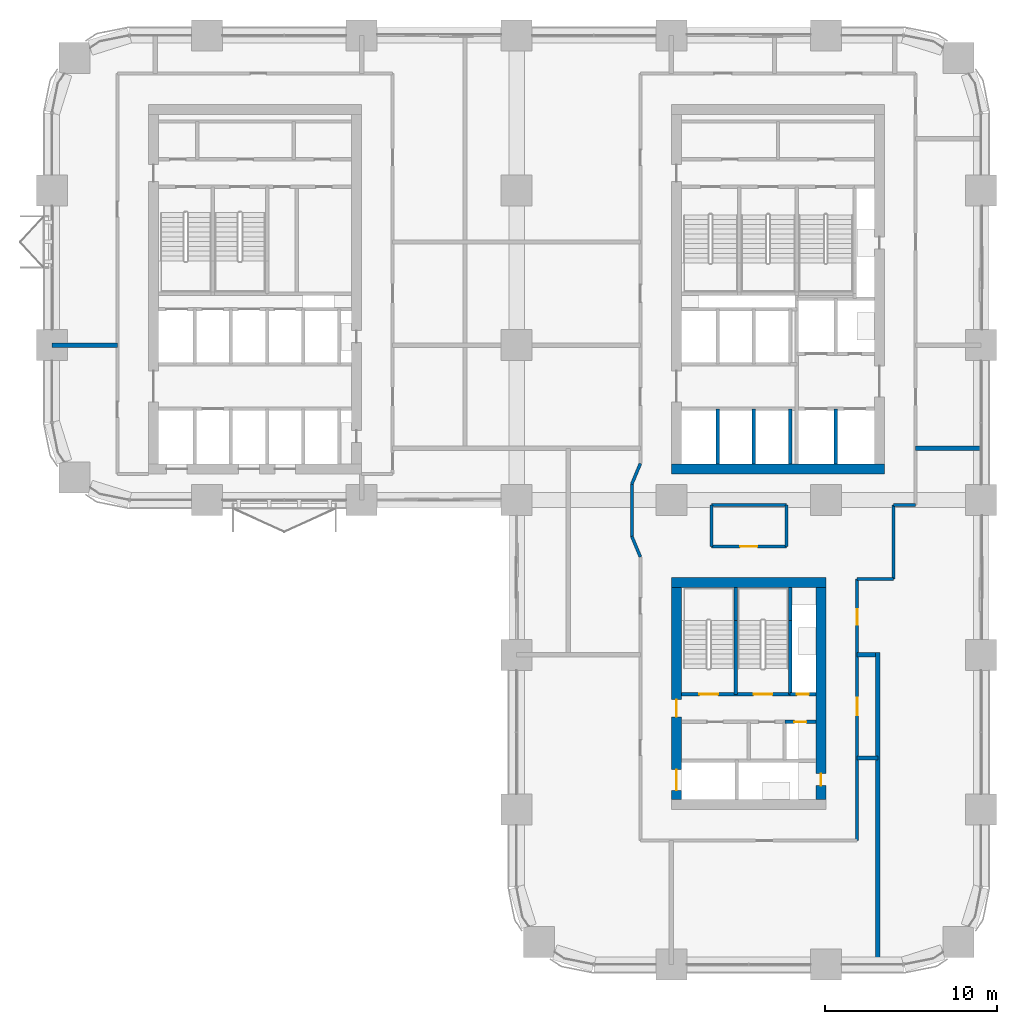
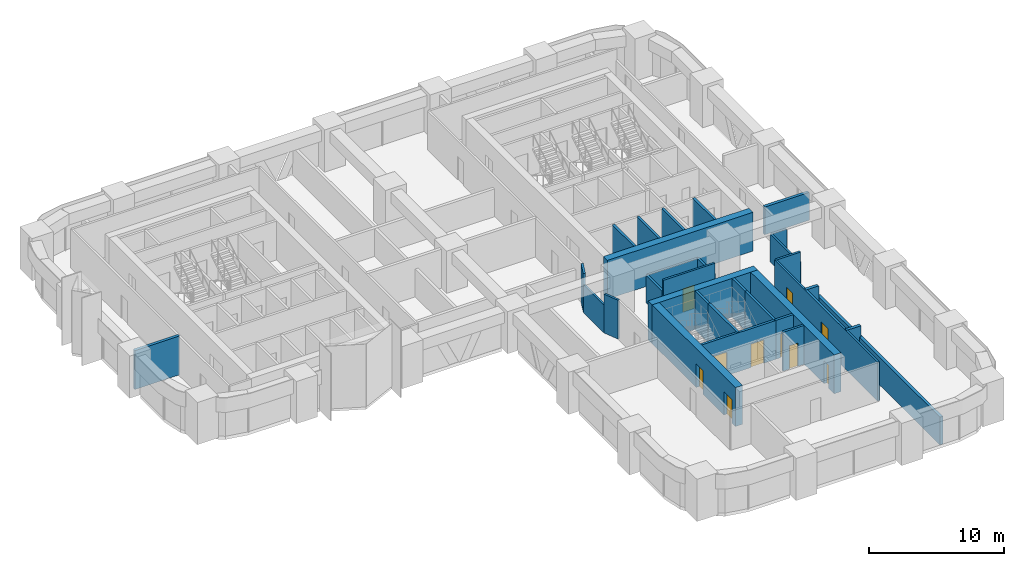
# One storey, part 12 of 18: 31 walls, 10 doors, 10 openings.
"""IFC4 building model written with IfcOpenShell, lengths in metres."""

import ifcopenshell
import ifcopenshell.guid

model = None  # the IFC model being written
_history = None  # IfcOwnerHistory: only IFC2X3 demands one
_inside = {}  # id of a spatial element -> (the spatial element, [elements in it])
_under = {}  # id of a project, library or spatial element -> (it, [spatial elements below it])
_declared = {}  # id of a project -> (the project, [libraries it declares])
_typed = {}  # id of a type object -> (the type object, [elements of that type])
_made_of = {}  # id of a material, layer set ... -> (it, [elements and type objects made of it])


def new_model(schema):
    """Start an empty IFC model of exactly this schema.

    Asked for "IFC4X3", IfcOpenShell would pick the latest addendum, in which some entities
    have other attributes; the version numbers below select the first issue.
    IFC2X3 requires an IfcOwnerHistory on every rooted entity: one is made here for all.
    """
    global model, _history
    if schema == "IFC4X3":
        model = ifcopenshell.file(schema_version=(4, 3, 0, 0))
    else:
        model = ifcopenshell.file(schema=schema)
    _inside.clear()
    _under.clear()
    _declared.clear()
    _typed.clear()
    _made_of.clear()
    _history = None
    if model.schema == "IFC2X3":
        org = make("IfcOrganization", Name="unknown")
        user = make(
            "IfcPersonAndOrganization",
            ThePerson=make("IfcPerson", FamilyName="unknown"),
            TheOrganization=org,
        )
        app = make(
            "IfcApplication",
            ApplicationDeveloper=org,
            Version="unknown",
            ApplicationFullName="unknown",
            ApplicationIdentifier="unknown",
        )
        _history = make(
            "IfcOwnerHistory",
            OwningUser=user,
            OwningApplication=app,
            ChangeAction="ADDED",
            CreationDate=0,
        )
    return model


def make(cls, **values):
    """One entity of the class cls with the attributes given. An attribute that is None is left unset."""
    return model.create_entity(
        cls, **{name: value for name, value in values.items() if value is not None}
    )


def rooted(cls, **values):
    """An entity with a GlobalId (a new one), such as an element, a storey or a relation."""
    return make(cls, GlobalId=ifcopenshell.guid.new(), OwnerHistory=_history, **values)


def si_unit(unit_type, name, prefix=None):
    """IfcSIUnit, for example si_unit("LENGTHUNIT", "METRE", prefix="MILLI")."""
    return make("IfcSIUnit", UnitType=unit_type, Prefix=prefix, Name=name)


def assignment(units):
    """IfcUnitAssignment: the units of a project."""
    return None if units is None else make("IfcUnitAssignment", Units=units)


def point(xyz):
    """IfcCartesianPoint."""
    return None if xyz is None else make("IfcCartesianPoint", Coordinates=xyz)


def direction(xyz):
    """IfcDirection."""
    return None if xyz is None else make("IfcDirection", DirectionRatios=xyz)


def frame(location, z_axis=None, x_axis=None):
    """IfcAxis2Placement3D, a coordinate frame: its origin and axes. An axis left out is left unset."""
    return make(
        "IfcAxis2Placement3D",
        Location=point(location),
        Axis=direction(z_axis),
        RefDirection=direction(x_axis),
    )


def frame_2d(location, x_axis=None):
    """IfcAxis2Placement2D, a coordinate frame in the plane: its origin and x axis."""
    return make(
        "IfcAxis2Placement2D", Location=point(location), RefDirection=direction(x_axis)
    )


def origin():
    """The frame at (0, 0, 0) with its axes left unset."""
    return frame((0.0, 0.0, 0.0))


def place(relative_to, where):
    """IfcLocalPlacement: puts the frame where relative to a parent placement (None: the world)."""
    return make(
        "IfcLocalPlacement", PlacementRelTo=relative_to, RelativePlacement=where
    )


def context(
    kind, dimensions, precision=None, world=None, true_north=None, identifier=None
):
    """IfcGeometricRepresentationContext, for example the 3D "Model" context."""
    return make(
        "IfcGeometricRepresentationContext",
        ContextIdentifier=identifier,
        ContextType=kind,
        CoordinateSpaceDimension=dimensions,
        Precision=precision,
        WorldCoordinateSystem=world,
        TrueNorth=true_north,
    )


def subcontext(parent, identifier, kind, view, scale=None):
    """IfcGeometricRepresentationSubContext, for example "Body" below "Model"."""
    return make(
        "IfcGeometricRepresentationSubContext",
        ContextIdentifier=identifier,
        ContextType=kind,
        ParentContext=parent,
        TargetScale=scale,
        TargetView=view,
    )


def project(units=None, contexts=None):
    """IfcProject with its units and contexts."""
    return rooted(
        "IfcProject",
        Name="project",
        RepresentationContexts=contexts,
        UnitsInContext=assignment(units),
    )


def spatial(cls, under=None, at=None, **own):
    """A site, building, storey or space (cls), placed at a placement, below another one or the project."""
    s = rooted(cls, ObjectPlacement=at, **own)
    if under is not None:
        _under.setdefault(under.id(), (under, []))[1].append(s)
    return s


def profile(cls, at=None, kind="AREA", **sizes):
    """A parametric profile (cls). Its sizes go by their IFC names, for example OverallWidth=200.0."""
    return make(cls, ProfileType=kind, Position=at, **sizes)


def rectangle(**sizes):
    """IfcRectangleProfileDef."""
    return profile("IfcRectangleProfileDef", **sizes)


def extrude(swept, where, along, depth):
    """IfcExtrudedAreaSolid: the profile swept, set in the frame where, extruded along a direction by depth."""
    return make(
        "IfcExtrudedAreaSolid",
        SweptArea=swept,
        Position=where,
        ExtrudedDirection=direction(along),
        Depth=depth,
    )


def shape(context_of_items, identifier, shape_type, items):
    """IfcShapeRepresentation: the items that make up one representation, for example the "Body"."""
    return make(
        "IfcShapeRepresentation",
        ContextOfItems=context_of_items,
        RepresentationIdentifier=identifier,
        RepresentationType=shape_type,
        Items=items,
    )


def material(Name=None, Category=None):
    """IfcMaterial."""
    return make("IfcMaterial", Name=Name, Category=Category)


def layer(
    of_material, thickness, ventilated=None, Name=None, Category=None, Priority=None
):
    """IfcMaterialLayer: one layer of a wall or slab, of a material (None: an air gap)."""
    return make(
        "IfcMaterialLayer",
        Material=of_material,
        LayerThickness=thickness,
        IsVentilated=ventilated,
        Name=Name,
        Category=Category,
        Priority=Priority,
    )


def layer_set(layers, Name=None):
    """IfcMaterialLayerSet."""
    return make("IfcMaterialLayerSet", MaterialLayers=layers, LayerSetName=Name)


def made_of(thing, what):
    """Note that an element or type object is made of a material, layer set ...; save() writes the relation."""
    if what is not None:
        _made_of.setdefault(what.id(), (what, []))[1].append(thing)
    return thing


def type_object(cls, material=None, **own):
    """A type object (cls), such as IfcWallType, which elements share."""
    return made_of(rooted(cls, **own), material)


def element(
    cls,
    number,
    at=None,
    inside=None,
    cuts=None,
    type_object=None,
    material=None,
    context=None,
    identifier="Body",
    shape_type=None,
    held_by="IfcProductDefinitionShape",
    body=None,
    shapes=None,
    **own,
):
    """One element of the class cls, such as IfcWall. Its Tag is "e" and its number.

    at: its placement. inside: the storey or other place that contains it. cuts: it is an
    opening in that element (IfcRelVoidsElement). A single representation is given by context,
    identifier, shape_type and body (its items); several are given by shapes. held_by: the class
    of the entity that holds the representations. save() writes the other relations.
    """
    e = rooted(cls, Tag="e%d" % number, ObjectPlacement=at, **own)
    if body is not None:
        shapes = [shape(context, identifier, shape_type, body)]
    if shapes is not None:
        e.Representation = make(held_by, Representations=shapes)
    if inside is not None:
        _inside.setdefault(inside.id(), (inside, []))[1].append(e)
    if cuts is not None:
        rooted(
            "IfcRelVoidsElement", RelatingBuildingElement=cuts, RelatedOpeningElement=e
        )
    if type_object is not None:
        _typed.setdefault(type_object.id(), (type_object, []))[1].append(e)
    return made_of(e, material)


def fill(opening, filler):
    """IfcRelFillsElement: the door or window that sits in an opening."""
    return rooted(
        "IfcRelFillsElement",
        RelatingOpeningElement=opening,
        RelatedBuildingElement=filler,
    )


def aggregate(whole, parts):
    """IfcRelAggregates: a whole, such as a stair, and the parts it consists of."""
    return rooted("IfcRelAggregates", RelatingObject=whole, RelatedObjects=parts)


def save(model, path):
    """Write the relations noted so far, then the file.

    IfcRelAggregates (storeys below a building ...), IfcRelContainedInSpatialStructure (elements
    in a storey), IfcRelDefinesByType, IfcRelAssociatesMaterial and IfcRelDeclares: one each for
    every whole, place, type object, material and project.
    """
    for whole, parts in _under.values():
        aggregate(whole, parts)
    for where, things in _inside.values():
        rooted(
            "IfcRelContainedInSpatialStructure",
            RelatedElements=things,
            RelatingStructure=where,
        )
    for kind, things in _typed.values():
        rooted("IfcRelDefinesByType", RelatedObjects=things, RelatingType=kind)
    for what, things in _made_of.values():
        rooted("IfcRelAssociatesMaterial", RelatedObjects=things, RelatingMaterial=what)
    for by, libraries in _declared.values():
        rooted("IfcRelDeclares", RelatingContext=by, RelatedDefinitions=libraries)
    model.write(path)


model = new_model("IFC4")

# Units and contexts
model_context = context("Model", 3, precision=1e-05, world=origin(), true_north=direction((0.0, 1.0)))
body_context = subcontext(model_context, "Body", "Model", "MODEL_VIEW")
ifc_project = project(units=[si_unit("LENGTHUNIT", "METRE"), si_unit("AREAUNIT", "SQUARE_METRE"), si_unit("VOLUMEUNIT", "CUBIC_METRE"), si_unit("PLANEANGLEUNIT", "RADIAN"), si_unit("MASSUNIT", "GRAM", prefix="KILO")], contexts=[model_context])

# Site, building, storey
site_placement = place(None, origin())
site = spatial("IfcSite", under=ifc_project, at=site_placement, CompositionType="ELEMENT")
building_placement = place(site_placement, origin())
building = spatial("IfcBuilding", under=site, at=building_placement, Name="Tessera Arch", CompositionType="ELEMENT")
storey_placement = place(building_placement, frame((0.0, 0.0, 115.800048828125)))
storey = spatial("IfcBuildingStorey", under=building, at=storey_placement, Name="L27", CompositionType="ELEMENT", Elevation=115.800048828125)

# Walls
ifc_material_1 = material(Name="Concrete C70/85", Category="concrete")
ifc_layer_1 = layer(ifc_material_1, 0.60009765625)
ifc_layer_set_1 = layer_set([ifc_layer_1], Name="Core shell wall 600 C70-85")
wall_type_1 = type_object("IfcWallType", Name="Core shell wall 600 C70-85", PredefinedType="SHEAR", material=ifc_layer_set_1)
wall_1_placement = place(storey_placement, frame((36.0, 28.800048828125, 0.0), z_axis=(0.0, 0.0, 1.0), x_axis=(1.0, 0.0, 0.0)))
element("IfcWall", 1, at=wall_1_placement, inside=storey, type_object=wall_type_1, Name="L27 C1 core wall S", PredefinedType="SHEAR", context=body_context, shape_type="SweptSolid", body=[
    extrude(rectangle(XDim=12.39990234375, YDim=0.60009765625, at=frame_2d((6.199951171875, 0.0))), origin(), (0.0, 0.0, 1.0), 3.5),
])
wall_2_placement = place(storey_placement, frame((36.0, 22.199951171875, 0.0), z_axis=(0.0, 0.0, 1.0), x_axis=(1.0, 0.0, 0.0)))
element("IfcWall", 2, at=wall_2_placement, inside=storey, type_object=wall_type_1, Name="L27 C3 core wall N", PredefinedType="SHEAR", context=body_context, shape_type="SweptSolid", body=[
    extrude(rectangle(XDim=9.0, YDim=0.60009765625, at=frame_2d((4.5, 0.0))), origin(), (0.0, 0.0, 1.0), 3.5),
])

# Wall, openings, doors
wall_3_placement = place(storey_placement, frame((36.300048828125, 9.60009765625, 0.0), z_axis=(0.0, 0.0, 1.0), x_axis=(0.0, 1.0, 0.0)))
wall_3 = element("IfcWall", 3, at=wall_3_placement, inside=storey, type_object=wall_type_1, Name="L27 C3 core wall W", PredefinedType="SHEAR", context=body_context, shape_type="SweptSolid", body=[
    extrude(rectangle(XDim=12.2998046875, YDim=0.60009765625, at=frame_2d((6.14990234375, 0.0))), origin(), (0.0, 0.0, 1.0), 3.5),
])
opening_1_placement = place(wall_3_placement, frame((0.52490234375, 0.0, 0.0)))
opening_1 = element("IfcOpeningElement", 4, at=opening_1_placement, cuts=wall_3, Name="Opening L27-C33", PredefinedType="OPENING", context=body_context, shape_type="SweptSolid", body=[
    extrude(rectangle(XDim=1.199951171875, YDim=2.10009765625, at=frame_2d((0.60009765625, 1.050048828125))), frame((0.0, 0.31005859375, 0.0), z_axis=(0.0, -1.0, 0.0), x_axis=(1.0, 0.0, 0.0)), (0.0, 0.0, 1.0), 0.6201171875),
])
opening_2_placement = place(wall_3_placement, frame((4.800048828125, 0.0, 0.0)))
opening_2 = element("IfcOpeningElement", 5, at=opening_2_placement, cuts=wall_3, Name="Opening L27-C39", PredefinedType="OPENING", context=body_context, shape_type="SweptSolid", body=[
    extrude(rectangle(XDim=1.0, YDim=2.10009765625, at=frame_2d((0.5, 1.050048828125))), frame((0.0, 0.31005859375, 0.0), z_axis=(0.0, -1.0, 0.0), x_axis=(1.0, 0.0, 0.0)), (0.0, 0.0, 1.0), 0.6201171875),
])
ifc_material_2 = material(Name="Steel door leaf", Category="steel")
door_type_1 = type_object("IfcDoorType", Name="Corridor door FD60 1000 x 2100", OperationType="SINGLE_SWING_LEFT", PredefinedType="DOOR", material=ifc_material_2)
door_1_placement = place(opening_2_placement, origin())
door_1 = element("IfcDoor", 6, at=door_1_placement, inside=storey, type_object=door_type_1, Name="L27 C3 door 7 C39 type D12", OperationType="SINGLE_SWING_LEFT", OverallHeight=2.10009765625, OverallWidth=1.0, PredefinedType="DOOR", context=body_context, shape_type="SweptSolid", body=[
    extrude(rectangle(XDim=1.0, YDim=2.10009765625, at=frame_2d((0.5, 1.050048828125))), frame((0.0, 0.02490234375, 0.0), z_axis=(0.0, -1.0, 0.0), x_axis=(1.0, 0.0, 0.0)), (0.0, 0.0, 1.0), 0.050048828125),
])
fill(opening_2, door_1)
ifc_material_3 = material(Name="Stainless steel AISI 304", Category="steel")
door_type_2 = type_object("IfcDoorType", Name="Sliding landing door 1200 x 2100", OperationType="SLIDING_TO_LEFT", PredefinedType="DOOR", material=ifc_material_3)
door_2_placement = place(opening_1_placement, origin())
door_2 = element("IfcDoor", 7, at=door_2_placement, inside=storey, type_object=door_type_2, Name="L27 SV1 lift landing door C33 type LD", OperationType="SLIDING_TO_LEFT", OverallHeight=2.10009765625, OverallWidth=1.199951171875, PredefinedType="DOOR", context=body_context, shape_type="SweptSolid", body=[
    extrude(rectangle(XDim=1.199951171875, YDim=2.10009765625, at=frame_2d((0.60009765625, 1.050048828125))), frame((0.0, 0.02490234375, 0.0), z_axis=(0.0, -1.0, 0.0), x_axis=(1.0, 0.0, 0.0)), (0.0, 0.0, 1.0), 0.050048828125),
])
fill(opening_1, door_2)

# Wall, opening, door
wall_4_placement = place(storey_placement, frame((44.699951171875, 9.60009765625, 0.0), z_axis=(0.0, 0.0, 1.0), x_axis=(0.0, 1.0, 0.0)))
wall_4 = element("IfcWall", 8, at=wall_4_placement, inside=storey, type_object=wall_type_1, Name="L27 C3 core wall E", PredefinedType="SHEAR", context=body_context, shape_type="SweptSolid", body=[
    extrude(rectangle(XDim=12.2998046875, YDim=0.60009765625, at=frame_2d((6.14990234375, 0.0))), origin(), (0.0, 0.0, 1.0), 3.5),
])
opening_3_placement = place(wall_4_placement, frame((0.800048828125, 0.0, 0.0)))
opening_3 = element("IfcOpeningElement", 9, at=opening_3_placement, cuts=wall_4, Name="Opening L27-C38", PredefinedType="OPENING", context=body_context, shape_type="SweptSolid", body=[
    extrude(rectangle(XDim=0.699951171875, YDim=2.10009765625, at=frame_2d((0.35009765625, 1.050048828125))), frame((0.0, 0.31005859375, 0.0), z_axis=(0.0, -1.0, 0.0), x_axis=(1.0, 0.0, 0.0)), (0.0, 0.0, 1.0), 0.6201171875),
])
ifc_material_4 = material(Name="Steel door leaf", Category="steel")
door_type_3 = type_object("IfcDoorType", Name="Service shaft door FD60 700 x 2100", OperationType="SINGLE_SWING_LEFT", PredefinedType="DOOR", material=ifc_material_4)
door_3_placement = place(opening_3_placement, origin())
door_3 = element("IfcDoor", 10, at=door_3_placement, inside=storey, type_object=door_type_3, Name="L27 C3 door 6 C38 type D07", OperationType="SINGLE_SWING_LEFT", OverallHeight=2.10009765625, OverallWidth=0.699951171875, PredefinedType="DOOR", context=body_context, shape_type="SweptSolid", body=[
    extrude(rectangle(XDim=0.699951171875, YDim=2.10009765625, at=frame_2d((0.35009765625, 1.050048828125))), frame((0.0, 0.02490234375, 0.0), z_axis=(0.0, -1.0, 0.0), x_axis=(1.0, 0.0, 0.0)), (0.0, 0.0, 1.0), 0.050048828125),
])
fill(opening_3, door_3)

# Wall
ifc_material_5 = material(Name="Gypsum board on deep steel stud with mineral wool", Category="steel")
ifc_layer_2 = layer(ifc_material_5, 0.175048828125)
ifc_layer_set_2 = layer_set([ifc_layer_2], Name="Corridor wall 175 EI 60")
wall_type_2 = type_object("IfcWallType", Name="Corridor wall 175 EI 60", PredefinedType="PARTITIONING", material=ifc_layer_set_2)
wall_5_placement = place(storey_placement, frame((46.800048828125, 22.39990234375, 0.0), z_axis=(0.0, 0.0, 1.0), x_axis=(1.0, 0.0, 0.0)))
element("IfcWall", 11, at=wall_5_placement, inside=storey, type_object=wall_type_2, Name="L27 partition 2", PredefinedType="PARTITIONING", context=body_context, shape_type="SweptSolid", body=[
    extrude(rectangle(XDim=2.099853515625, YDim=0.175048828125, at=frame_2d((1.0498046875, 0.0))), origin(), (0.0, 0.0, 1.0), 3.5),
])

# Wall, opening, door
wall_6_placement = place(storey_placement, frame((38.320068359375, 24.300048828125, 0.0), z_axis=(0.0, 0.0, 1.0), x_axis=(1.0, 0.0, 0.0)))
wall_6 = element("IfcWall", 12, at=wall_6_placement, inside=storey, type_object=wall_type_2, Name="L27 partition 3", PredefinedType="PARTITIONING", context=body_context, shape_type="SweptSolid", body=[
    extrude(rectangle(XDim=4.35986328125, YDim=0.175048828125, at=frame_2d((2.179931640625, 0.0))), origin(), (0.0, 0.0, 1.0), 3.5),
])
opening_4_placement = place(wall_6_placement, frame((1.679931640625, 0.0, 0.0)))
opening_4 = element("IfcOpeningElement", 13, at=opening_4_placement, cuts=wall_6, Name="Opening L27-D006", PredefinedType="OPENING", context=body_context, shape_type="SweptSolid", body=[
    extrude(rectangle(XDim=1.0, YDim=2.10009765625, at=frame_2d((0.5, 1.050048828125))), frame((0.0, 0.097412109375, 0.0), z_axis=(0.0, -1.0, 0.0), x_axis=(1.0, 0.0, 0.0)), (0.0, 0.0, 1.0), 0.195068359375),
])
ifc_material_6 = material(Name="Fire-rated door leaf")
door_type_4 = type_object("IfcDoorType", Name="Entrance door FD30S 1000 x 2100", OperationType="SINGLE_SWING_LEFT", PredefinedType="DOOR", material=ifc_material_6)
door_4_placement = place(opening_4_placement, origin())
door_4 = element("IfcDoor", 14, at=door_4_placement, inside=storey, type_object=door_type_4, Name="L27 door D006 type D03", OperationType="SINGLE_SWING_RIGHT", OverallHeight=2.10009765625, OverallWidth=1.0, PredefinedType="DOOR", context=body_context, shape_type="SweptSolid", body=[
    extrude(rectangle(XDim=1.0, YDim=2.10009765625, at=frame_2d((0.5, 1.050048828125))), frame((0.0, 0.02490234375, 0.0), z_axis=(0.0, -1.0, 0.0), x_axis=(1.0, 0.0, 0.0)), (0.0, 0.0, 1.0), 0.050048828125),
])
fill(opening_4, door_4)

# Walls
wall_7_placement = place(storey_placement, frame((38.320068359375, 26.699951171875, 0.0), z_axis=(0.0, 0.0, 1.0), x_axis=(1.0, 0.0, 0.0)))
element("IfcWall", 15, at=wall_7_placement, inside=storey, type_object=wall_type_2, Name="L27 partition 4", PredefinedType="PARTITIONING", context=body_context, shape_type="SweptSolid", body=[
    extrude(rectangle(XDim=4.35986328125, YDim=0.175048828125, at=frame_2d((2.179931640625, 0.0))), origin(), (0.0, 0.0, 1.0), 2.5),
])
wall_8_placement = place(storey_placement, frame((48.89990234375, 26.699951171875, 0.0), z_axis=(0.0, 0.0, 1.0), x_axis=(1.0, 0.0, 0.0)))
element("IfcWall", 16, at=wall_8_placement, inside=storey, type_object=wall_type_2, Name="L27 partition 5", PredefinedType="PARTITIONING", context=body_context, shape_type="SweptSolid", body=[
    extrude(rectangle(XDim=1.300048828125, YDim=0.175048828125, at=frame_2d((0.64990234375, 0.0))), origin(), (0.0, 0.0, 1.0), 2.5),
])
wall_9_placement = place(storey_placement, frame((33.699951171875, 24.889892578125, 0.0), z_axis=(0.0, 0.0, 1.0), x_axis=(0.0, 1.0, 0.0)))
element("IfcWall", 17, at=wall_9_placement, inside=storey, type_object=wall_type_2, Name="L27 partition 12", PredefinedType="PARTITIONING", context=body_context, shape_type="SweptSolid", body=[
    extrude(rectangle(XDim=3.030029296875, YDim=0.175048828125, at=frame_2d((1.51513671875, 0.0))), origin(), (0.0, 0.0, 1.0), 2.5),
])
for number, where, z_axis, x_axis, name in (
    (18, (38.320068359375, 24.300048828125, 0.0), (0.0, 0.0, 1.0), (0.0, 1.0, 0.0), "L27 partition 15"),
    (19, (42.679931640625, 24.300048828125, 0.0), (0.0, 0.0, 1.0), (0.0, 1.0, 0.0), "L27 partition 16"),
):
    element("IfcWall", number, at=place(storey_placement, frame(where, z_axis=z_axis, x_axis=x_axis)), inside=storey, type_object=wall_type_2, Name=name, PredefinedType="PARTITIONING", context=body_context, shape_type="SweptSolid", body=[
        extrude(rectangle(XDim=2.39990234375, YDim=0.175048828125, at=frame_2d((1.199951171875, 0.0))), origin(), (0.0, 0.0, 1.0), 2.5),
    ])

# Wall, openings, doors
wall_10_placement = place(storey_placement, frame((46.800048828125, 7.199951171875, 0.0), z_axis=(0.0, 0.0, 1.0), x_axis=(0.0, 1.0, 0.0)))
wall_10 = element("IfcWall", 20, at=wall_10_placement, inside=storey, type_object=wall_type_2, Name="L27 partition 17", PredefinedType="PARTITIONING", context=body_context, shape_type="SweptSolid", body=[
    extrude(rectangle(XDim=15.199951171875, YDim=0.175048828125, at=frame_2d((7.60009765625, 0.0))), origin(), (0.0, 0.0, 1.0), 3.5),
])
opening_5_placement = place(wall_10_placement, frame((12.550048828125, 0.0, 0.0)))
opening_5 = element("IfcOpeningElement", 21, at=opening_5_placement, cuts=wall_10, Name="Opening L27-D003", PredefinedType="OPENING", context=body_context, shape_type="SweptSolid", body=[
    extrude(rectangle(XDim=0.89990234375, YDim=2.10009765625, at=frame_2d((0.449951171875, 1.050048828125))), frame((0.0, 0.097412109375, 0.0), z_axis=(0.0, -1.0, 0.0), x_axis=(1.0, 0.0, 0.0)), (0.0, 0.0, 1.0), 0.195068359375),
])
opening_6_placement = place(wall_10_placement, frame((7.300048828125, 0.0, 0.0)))
opening_6 = element("IfcOpeningElement", 22, at=opening_6_placement, cuts=wall_10, Name="Opening L27-D004", PredefinedType="OPENING", context=body_context, shape_type="SweptSolid", body=[
    extrude(rectangle(XDim=1.0, YDim=2.10009765625, at=frame_2d((0.5, 1.050048828125))), frame((0.0, 0.097412109375, 0.0), z_axis=(0.0, -1.0, 0.0), x_axis=(1.0, 0.0, 0.0)), (0.0, 0.0, 1.0), 0.195068359375),
])
door_5_placement = place(opening_6_placement, origin())
door_5 = element("IfcDoor", 23, at=door_5_placement, inside=storey, type_object=door_type_4, Name="L27 door D004 type D03", OperationType="SINGLE_SWING_LEFT", OverallHeight=2.10009765625, OverallWidth=1.0, PredefinedType="DOOR", context=body_context, shape_type="SweptSolid", body=[
    extrude(rectangle(XDim=1.0, YDim=2.10009765625, at=frame_2d((0.5, 1.050048828125))), frame((0.0, 0.02490234375, 0.0), z_axis=(0.0, -1.0, 0.0), x_axis=(1.0, 0.0, 0.0)), (0.0, 0.0, 1.0), 0.050048828125),
])
fill(opening_6, door_5)
ifc_material_7 = material(Name="Timber door leaf", Category="wood")
door_type_5 = type_object("IfcDoorType", Name="Room door 900 x 2100", OperationType="SINGLE_SWING_LEFT", PredefinedType="DOOR", material=ifc_material_7)
door_6_placement = place(opening_5_placement, origin())
door_6 = element("IfcDoor", 24, at=door_6_placement, inside=storey, type_object=door_type_5, Name="L27 door D003 type D01", OperationType="SINGLE_SWING_RIGHT", OverallHeight=2.10009765625, OverallWidth=0.89990234375, PredefinedType="DOOR", context=body_context, shape_type="SweptSolid", body=[
    extrude(rectangle(XDim=0.89990234375, YDim=2.10009765625, at=frame_2d((0.449951171875, 1.050048828125))), frame((0.0, 0.02490234375, 0.0), z_axis=(0.0, -1.0, 0.0), x_axis=(1.0, 0.0, 0.0)), (0.0, 0.0, 1.0), 0.050048828125),
])
fill(opening_5, door_6)

# Walls
wall_11_placement = place(storey_placement, frame((48.89990234375, 22.39990234375, 0.0), z_axis=(0.0, 0.0, 1.0), x_axis=(0.0, 1.0, 0.0)))
element("IfcWall", 25, at=wall_11_placement, inside=storey, type_object=wall_type_2, Name="L27 partition 18", PredefinedType="PARTITIONING", context=body_context, shape_type="SweptSolid", body=[
    extrude(rectangle(XDim=4.300048828125, YDim=0.175048828125, at=frame_2d((2.14990234375, 0.0))), origin(), (0.0, 0.0, 1.0), 2.5),
])
wall_12_placement = place(storey_placement, frame((34.199951171875, 23.68994140625, 0.0), z_axis=(0.0, 0.0, 1.0), x_axis=(-0.384628719983, 0.923071366561, 0.0)))
element("IfcWall", 26, at=wall_12_placement, inside=storey, type_object=wall_type_2, Name="L27 partition 40", PredefinedType="PARTITIONING", context=body_context, shape_type="SweptSolid", body=[
    extrude(rectangle(XDim=1.300048828125, YDim=0.175048828125, at=frame_2d((0.64990234375, 0.0))), origin(), (0.0, 0.0, 1.0), 3.5),
])
wall_13_placement = place(storey_placement, frame((33.699951171875, 27.919921875, 0.0), z_axis=(0.0, 0.0, 1.0), x_axis=(0.384562051588, 0.923099143363, 0.0)))
element("IfcWall", 27, at=wall_13_placement, inside=storey, type_object=wall_type_2, Name="L27 partition 41", PredefinedType="PARTITIONING", context=body_context, shape_type="SweptSolid", body=[
    extrude(rectangle(XDim=1.30029296875, YDim=0.175048828125, at=frame_2d((0.650146484375, 0.0))), origin(), (0.0, 0.0, 1.0), 3.5),
])
ifc_material_8 = material(Name="Double gypsum board on twin steel stud with acoustic mineral wool", Category="steel")
ifc_layer_3 = layer(ifc_material_8, 0.25)
ifc_layer_set_3 = layer_set([ifc_layer_3], Name="Party wall 250 EI 60")
wall_type_3 = type_object("IfcWallType", Name="Party wall 250 EI 60", PredefinedType="PARTITIONING", material=ifc_layer_set_3)
wall_14_placement = place(storey_placement, frame((46.800048828125, 12.0, 0.0), z_axis=(0.0, 0.0, 1.0), x_axis=(1.0, 0.0, 0.0)))
element("IfcWall", 28, at=wall_14_placement, inside=storey, type_object=wall_type_3, Name="L27 partition 20", PredefinedType="PARTITIONING", context=body_context, shape_type="SweptSolid", body=[
    extrude(rectangle(XDim=1.199951171875, YDim=0.25, at=frame_2d((0.60009765625, 0.0))), origin(), (0.0, 0.0, 1.0), 3.5),
])
wall_15_placement = place(storey_placement, frame((46.800048828125, 18.0, 0.0), z_axis=(0.0, 0.0, 1.0), x_axis=(1.0, 0.0, 0.0)))
element("IfcWall", 29, at=wall_15_placement, inside=storey, type_object=wall_type_3, Name="L27 partition 22", PredefinedType="PARTITIONING", context=body_context, shape_type="SweptSolid", body=[
    extrude(rectangle(XDim=1.074951171875, YDim=0.25, at=frame_2d((0.53759765625, 0.0))), origin(), (0.0, 0.0, 1.0), 3.5),
])
wall_16_placement = place(storey_placement, frame((50.199951171875, 30.0, 0.0), z_axis=(0.0, 0.0, 1.0), x_axis=(1.0, 0.0, 0.0)))
element("IfcWall", 30, at=wall_16_placement, inside=storey, type_object=wall_type_3, Name="L27 partition 24", PredefinedType="PARTITIONING", context=body_context, shape_type="SweptSolid", body=[
    extrude(rectangle(XDim=3.800048828125, YDim=0.25, at=frame_2d((1.89990234375, 0.0))), origin(), (0.0, 0.0, 1.0), 2.5),
])
wall_17_placement = place(storey_placement, frame((0.0, 36.0, 0.0), z_axis=(0.0, 0.0, 1.0), x_axis=(1.0, 0.0, 0.0)))
element("IfcWall", 31, at=wall_17_placement, inside=storey, type_object=wall_type_3, Name="L27 partition 25", PredefinedType="PARTITIONING", context=body_context, shape_type="SweptSolid", body=[
    extrude(rectangle(XDim=3.800048828125, YDim=0.25, at=frame_2d((1.89990234375, 0.0))), origin(), (0.0, 0.0, 1.0), 3.5),
])
wall_18_placement = place(storey_placement, frame((48.0, 0.0, 0.0), z_axis=(0.0, 0.0, 1.0), x_axis=(0.0, 1.0, 0.0)))
element("IfcWall", 32, at=wall_18_placement, inside=storey, type_object=wall_type_3, Name="L27 partition 38", PredefinedType="PARTITIONING", context=body_context, shape_type="SweptSolid", body=[
    extrude(rectangle(XDim=18.125, YDim=0.25, at=frame_2d((9.0625, 0.0))), origin(), (0.0, 0.0, 1.0), 2.5),
])
ifc_material_9 = material(Name="Concrete C40/50", Category="concrete")
ifc_layer_4 = layer(ifc_material_9, 0.199951171875)
ifc_layer_set_4 = layer_set([ifc_layer_4], Name="Shaft wall 200 EI 120")
wall_type_4 = type_object("IfcWallType", Name="Shaft wall 200 EI 120", PredefinedType="SOLIDWALL", material=ifc_layer_set_4)
for number, where, z_axis, x_axis, name in (
    (33, (38.699951171875, 29.10009765625, 0.0), (0.0, 0.0, 1.0), (0.0, 1.0, 0.0), "L27 C1 shaft wall 1"),
    (34, (40.800048828125, 29.10009765625, 0.0), (0.0, 0.0, 1.0), (0.0, 1.0, 0.0), "L27 C1 shaft wall 5"),
    (35, (42.89990234375, 29.10009765625, 0.0), (0.0, 0.0, 1.0), (0.0, 1.0, 0.0), "L27 C1 shaft wall 8"),
    (36, (45.550048828125, 29.10009765625, 0.0), (0.0, 0.0, 1.0), (0.0, 1.0, 0.0), "L27 C1 shaft wall 13"),
):
    element("IfcWall", number, at=place(storey_placement, frame(where, z_axis=z_axis, x_axis=x_axis)), inside=storey, type_object=wall_type_4, Name=name, PredefinedType="SOLIDWALL", context=body_context, shape_type="SweptSolid", body=[
        extrude(rectangle(XDim=3.199951171875, YDim=0.199951171875, at=frame_2d((1.60009765625, 0.0))), origin(), (0.0, 0.0, 1.0), 3.5),
    ])

# Wall, opening, door
wall_19_placement = place(storey_placement, frame((42.60009765625, 14.10009765625, 0.0), z_axis=(0.0, 0.0, 1.0), x_axis=(1.0, 0.0, 0.0)))
wall_19 = element("IfcWall", 37, at=wall_19_placement, inside=storey, type_object=wall_type_4, Name="L27 C3 shaft wall 10", PredefinedType="SOLIDWALL", context=body_context, shape_type="SweptSolid", body=[
    extrude(rectangle(XDim=1.7998046875, YDim=0.199951171875, at=frame_2d((0.89990234375, 0.0))), origin(), (0.0, 0.0, 1.0), 3.5),
])
opening_7_placement = place(wall_19_placement, frame((0.550048828125, 0.0, 0.0)))
opening_7 = element("IfcOpeningElement", 38, at=opening_7_placement, cuts=wall_19, Name="Opening L27-C37", PredefinedType="OPENING", context=body_context, shape_type="SweptSolid", body=[
    extrude(rectangle(XDim=0.699951171875, YDim=2.10009765625, at=frame_2d((0.35009765625, 1.050048828125))), frame((0.0, 0.10986328125, 0.0), z_axis=(0.0, -1.0, 0.0), x_axis=(1.0, 0.0, 0.0)), (0.0, 0.0, 1.0), 0.219970703125),
])
door_7_placement = place(opening_7_placement, origin())
door_7 = element("IfcDoor", 39, at=door_7_placement, inside=storey, type_object=door_type_3, Name="L27 C3 door 5 C37 type D07", OperationType="SINGLE_SWING_RIGHT", OverallHeight=2.10009765625, OverallWidth=0.699951171875, PredefinedType="DOOR", context=body_context, shape_type="SweptSolid", body=[
    extrude(rectangle(XDim=0.699951171875, YDim=2.10009765625, at=frame_2d((0.35009765625, 1.050048828125))), frame((0.0, 0.02490234375, 0.0), z_axis=(0.0, -1.0, 0.0), x_axis=(1.0, 0.0, 0.0)), (0.0, 0.0, 1.0), 0.050048828125),
])
fill(opening_7, door_7)

wall_20_placement = place(storey_placement, frame((42.89990234375, 15.699951171875, 0.0), z_axis=(0.0, 0.0, 1.0), x_axis=(1.0, 0.0, 0.0)))
wall_20 = element("IfcWall", 40, at=wall_20_placement, inside=storey, type_object=wall_type_4, Name="L27 C3 shaft wall 11", PredefinedType="SOLIDWALL", context=body_context, shape_type="SweptSolid", body=[
    extrude(rectangle(XDim=1.5, YDim=0.199951171875, at=frame_2d((0.75, 0.0))), origin(), (0.0, 0.0, 1.0), 3.5),
])
opening_8_placement = place(wall_20_placement, frame((0.39990234375, 0.0, 0.0)))
opening_8 = element("IfcOpeningElement", 41, at=opening_8_placement, cuts=wall_20, Name="Opening L27-C36", PredefinedType="OPENING", context=body_context, shape_type="SweptSolid", body=[
    extrude(rectangle(XDim=0.699951171875, YDim=2.10009765625, at=frame_2d((0.35009765625, 1.050048828125))), frame((0.0, 0.10986328125, 0.0), z_axis=(0.0, -1.0, 0.0), x_axis=(1.0, 0.0, 0.0)), (0.0, 0.0, 1.0), 0.219970703125),
])
door_8_placement = place(opening_8_placement, origin())
door_8 = element("IfcDoor", 42, at=door_8_placement, inside=storey, type_object=door_type_3, Name="L27 C3 door 4 C36 type D07", OperationType="SINGLE_SWING_LEFT", OverallHeight=2.10009765625, OverallWidth=0.699951171875, PredefinedType="DOOR", context=body_context, shape_type="SweptSolid", body=[
    extrude(rectangle(XDim=0.699951171875, YDim=2.10009765625, at=frame_2d((0.35009765625, 1.050048828125))), frame((0.0, 0.02490234375, 0.0), z_axis=(0.0, -1.0, 0.0), x_axis=(1.0, 0.0, 0.0)), (0.0, 0.0, 1.0), 0.050048828125),
])
fill(opening_8, door_8)

# Walls
ifc_material_10 = material(Name="Concrete C40/50", Category="concrete")
ifc_layer_5 = layer(ifc_material_10, 0.199951171875)
ifc_layer_set_5 = layer_set([ifc_layer_5], Name="Stair well wall 200 REI 180")
wall_type_5 = type_object("IfcWallType", Name="Stair well wall 200 REI 180", PredefinedType="SOLIDWALL", material=ifc_layer_set_5)
wall_21_placement = place(storey_placement, frame((39.75, 15.699951171875, 0.0), z_axis=(0.0, 0.0, 1.0), x_axis=(0.0, 1.0, 0.0)))
element("IfcWall", 43, at=wall_21_placement, inside=storey, type_object=wall_type_5, Name="L27 C3 shaft wall 1", PredefinedType="SOLIDWALL", context=body_context, shape_type="SweptSolid", body=[
    extrude(rectangle(XDim=4.300048828125, YDim=0.199951171875, at=frame_2d((2.14990234375, 0.0))), origin(), (0.0, 0.0, 1.0), 3.5),
])
wall_22_placement = place(storey_placement, frame((39.75, 20.0, 0.0), z_axis=(0.0, 0.0, 1.0), x_axis=(0.0, 1.0, 0.0)))
element("IfcWall", 44, at=wall_22_placement, inside=storey, type_object=wall_type_5, Name="L27 C3 shaft wall 2", PredefinedType="SOLIDWALL", context=body_context, shape_type="SweptSolid", body=[
    extrude(rectangle(XDim=1.89990234375, YDim=0.199951171875, at=frame_2d((0.949951171875, 0.0))), origin(), (0.0, 0.0, 1.0), 3.5),
])
wall_23_placement = place(storey_placement, frame((42.89990234375, 15.699951171875, 0.0), z_axis=(0.0, 0.0, 1.0), x_axis=(0.0, 1.0, 0.0)))
element("IfcWall", 45, at=wall_23_placement, inside=storey, type_object=wall_type_5, Name="L27 C3 shaft wall 6", PredefinedType="SOLIDWALL", context=body_context, shape_type="SweptSolid", body=[
    extrude(rectangle(XDim=4.300048828125, YDim=0.199951171875, at=frame_2d((2.14990234375, 0.0))), origin(), (0.0, 0.0, 1.0), 3.5),
])
wall_24_placement = place(storey_placement, frame((42.89990234375, 20.0, 0.0), z_axis=(0.0, 0.0, 1.0), x_axis=(0.0, 1.0, 0.0)))
element("IfcWall", 46, at=wall_24_placement, inside=storey, type_object=wall_type_5, Name="L27 C3 shaft wall 7", PredefinedType="SOLIDWALL", context=body_context, shape_type="SweptSolid", body=[
    extrude(rectangle(XDim=1.89990234375, YDim=0.199951171875, at=frame_2d((0.949951171875, 0.0))), origin(), (0.0, 0.0, 1.0), 3.5),
])

# Wall, openings, doors
wall_25_placement = place(storey_placement, frame((36.60009765625, 15.699951171875, 0.0), z_axis=(0.0, 0.0, 1.0), x_axis=(1.0, 0.0, 0.0)))
wall_25 = element("IfcWall", 47, at=wall_25_placement, inside=storey, type_object=wall_type_5, Name="L27 C3 shaft wall 12", PredefinedType="SOLIDWALL", context=body_context, shape_type="SweptSolid", body=[
    extrude(rectangle(XDim=6.2998046875, YDim=0.199951171875, at=frame_2d((3.14990234375, 0.0))), origin(), (0.0, 0.0, 1.0), 3.5),
])
opening_9_placement = place(wall_25_placement, frame((1.02490234375, 0.0, 0.0)))
opening_9 = element("IfcOpeningElement", 48, at=opening_9_placement, cuts=wall_25, Name="Opening L27-C34", PredefinedType="OPENING", context=body_context, shape_type="SweptSolid", body=[
    extrude(rectangle(XDim=1.10009765625, YDim=2.10009765625, at=frame_2d((0.550048828125, 1.050048828125))), frame((0.0, 0.10986328125, 0.0), z_axis=(0.0, -1.0, 0.0), x_axis=(1.0, 0.0, 0.0)), (0.0, 0.0, 1.0), 0.219970703125),
])
opening_10_placement = place(wall_25_placement, frame((4.175048828125, 0.0, 0.0)))
opening_10 = element("IfcOpeningElement", 49, at=opening_10_placement, cuts=wall_25, Name="Opening L27-C35", PredefinedType="OPENING", context=body_context, shape_type="SweptSolid", body=[
    extrude(rectangle(XDim=1.10009765625, YDim=2.10009765625, at=frame_2d((0.550048828125, 1.050048828125))), frame((0.0, 0.10986328125, 0.0), z_axis=(0.0, -1.0, 0.0), x_axis=(1.0, 0.0, 0.0)), (0.0, 0.0, 1.0), 0.219970703125),
])
ifc_material_11 = material(Name="Steel door leaf", Category="steel")
door_type_6 = type_object("IfcDoorType", Name="Stair door FD60 1100 x 2100", OperationType="SINGLE_SWING_LEFT", PredefinedType="DOOR", material=ifc_material_11)
door_9_placement = place(opening_9_placement, origin())
door_9 = element("IfcDoor", 50, at=door_9_placement, inside=storey, type_object=door_type_6, Name="L27 C3 door 2 C34 type D05", OperationType="SINGLE_SWING_LEFT", OverallHeight=2.10009765625, OverallWidth=1.10009765625, PredefinedType="DOOR", context=body_context, shape_type="SweptSolid", body=[
    extrude(rectangle(XDim=1.10009765625, YDim=2.10009765625, at=frame_2d((0.550048828125, 1.050048828125))), frame((0.0, 0.02490234375, 0.0), z_axis=(0.0, -1.0, 0.0), x_axis=(1.0, 0.0, 0.0)), (0.0, 0.0, 1.0), 0.050048828125),
])
fill(opening_9, door_9)
door_10_placement = place(opening_10_placement, origin())
door_10 = element("IfcDoor", 51, at=door_10_placement, inside=storey, type_object=door_type_6, Name="L27 C3 door 3 C35 type D05", OperationType="SINGLE_SWING_RIGHT", OverallHeight=2.10009765625, OverallWidth=1.10009765625, PredefinedType="DOOR", context=body_context, shape_type="SweptSolid", body=[
    extrude(rectangle(XDim=1.10009765625, YDim=2.10009765625, at=frame_2d((0.550048828125, 1.050048828125))), frame((0.0, 0.02490234375, 0.0), z_axis=(0.0, -1.0, 0.0), x_axis=(1.0, 0.0, 0.0)), (0.0, 0.0, 1.0), 0.050048828125),
])
fill(opening_10, door_10)

save(model, "model.ifc")
